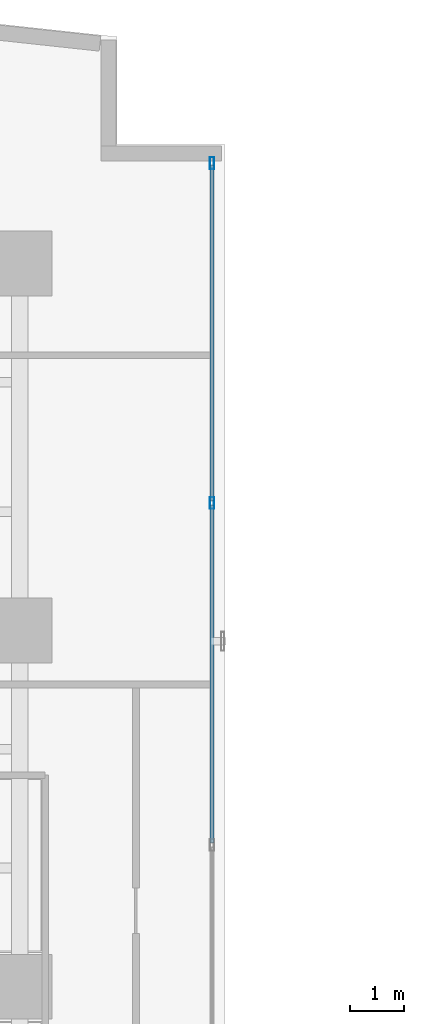
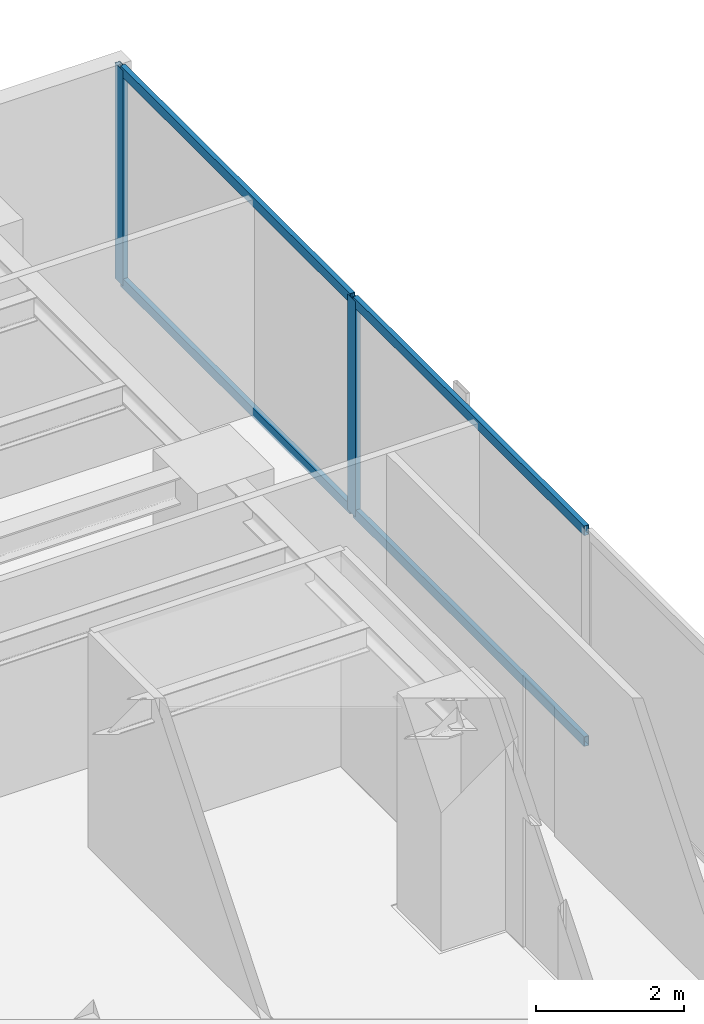
# One storey, part 17 of 23: 6 members, 1 element without a shape of its own.
"""IFC4 building model written with IfcOpenShell, lengths in metres."""

from ifc_helpers import new_model, si_unit, direction, frame, origin, origin_with_axes, origin_2d, place, context, subcontext, project, spatial, hollow_rectangle, extrude, source, transform, mapped, material, layer, layer_set, material_profile, profile_set, type_object, element, aggregate, save


model = new_model("IFC4")

# Units and contexts
model_context = context("Model", 3, precision=1e-05, world=origin(), true_north=direction((0.0, 1.0)))
body_context = subcontext(model_context, "Body", "Model", "MODEL_VIEW")
ifc_project = project(units=[si_unit("LENGTHUNIT", "METRE"), si_unit("AREAUNIT", "SQUARE_METRE"), si_unit("VOLUMEUNIT", "CUBIC_METRE"), si_unit("PLANEANGLEUNIT", "RADIAN"), si_unit("MASSUNIT", "GRAM", prefix="KILO")], contexts=[model_context])

# Site, building, storey
site_placement = place(None, origin())
site = spatial("IfcSite", under=ifc_project, at=site_placement, CompositionType="ELEMENT")
building_placement = place(site_placement, origin())
building = spatial("IfcBuilding", under=site, at=building_placement, Name="Kolvaren Waterfront Exchange", CompositionType="ELEMENT")
storey_placement = place(building_placement, frame((0.0, 0.0, 188.0)))
storey = spatial("IfcBuildingStorey", under=building, at=storey_placement, Name="L48", CompositionType="ELEMENT", Elevation=188.0)

# Curtain wall, members
ifc_material_1 = material(Name="Anodised bronze aluminium 6063-T6", Category="aluminium")
ifc_layer = layer(ifc_material_1, 0.219970703125, Name="Anodised bronze aluminium 6063-T6")
ifc_layer_set = layer_set([ifc_layer], Name="Anodised bronze aluminium 6063-T6")
curtain_wall_type = type_object("IfcCurtainWallType", Name="ARC-CW-SYS1", PredefinedType="USERDEFINED", material=ifc_layer_set)
curtain_wall_placement = place(storey_placement, origin())
curtain_wall = element("IfcCurtainWall", 1, at=curtain_wall_placement, inside=storey, type_object=curtain_wall_type, Name="L48 stick curtain wall CW1 (CW-L48-NE)", ObjectType="STICK CURTAIN WALL", PredefinedType="USERDEFINED")
ifc_material_2 = material(Name="Anodised aluminium 6063-T6", Category="aluminium")
ifc_material_profile_1 = material_profile(ifc_material_2, hollow_rectangle(XDim=0.080078125, YDim=0.219970703125, WallThickness=0.0048828125, at=origin_2d()), Name="ALU-MUL-220x80x5")
ifc_profile_set_1 = profile_set([ifc_material_profile_1], Name="Anodised aluminium 6063-T6")
member_type_1 = type_object("IfcMemberType", Name="ARC-CWM-220", PredefinedType="MULLION", material=ifc_profile_set_1)
shared_shape_1 = source(origin_with_axes(), body_context, "Body", "SweptSolid", [
    extrude(hollow_rectangle(XDim=0.080078125, YDim=0.219970703125, WallThickness=0.0048828125, at=origin_2d()), origin(), (0.0, 0.0, 1.0), 3.56005859375),
])
member_1_placement = place(storey_placement, frame((22.360107421875, 40.163330078125, 0.0), z_axis=(0.0, 0.0, 1.0), x_axis=(-1.0, 0.0, 0.0)))
member_1 = element("IfcMember", 2, at=member_1_placement, type_object=member_type_1, Name="CW1 mullion 3", PredefinedType="MULLION", context=body_context, shape_type="MappedRepresentation", body=[
    mapped(shared_shape_1, transform((0.0, 0.0, 0.0), x_axis=(1.0, 0.0, 0.0), y_axis=(0.0, 1.0, 0.0), z_axis=(0.0, 0.0, 1.0), scale=1.0)),
])
member_2_placement = place(storey_placement, frame((22.360107421875, 46.4599609375, 0.0), z_axis=(0.0, 0.0, 1.0), x_axis=(-1.0, 0.0, 0.0)))
member_2 = element("IfcMember", 3, at=member_2_placement, type_object=member_type_1, Name="CW1 mullion 4", PredefinedType="MULLION", context=body_context, shape_type="MappedRepresentation", body=[
    mapped(shared_shape_1, transform((0.0, 0.0, 0.0), x_axis=(1.0, 0.0, 0.0), y_axis=(0.0, 1.0, 0.0), z_axis=(0.0, 0.0, 1.0), scale=1.0)),
])
ifc_material_profile_2 = material_profile(ifc_material_2, hollow_rectangle(XDim=0.074951171875, YDim=0.159912109375, WallThickness=0.00439453125, at=origin_2d()), Name="ALU-TRN-160x75x4.5")
ifc_profile_set_2 = profile_set([ifc_material_profile_2], Name="Anodised aluminium 6063-T6")
member_type_2 = type_object("IfcMemberType", Name="ARC-CWT-160", PredefinedType="USERDEFINED", material=ifc_profile_set_2)
shared_shape_2 = source(origin_with_axes(), body_context, "Body", "SweptSolid", [
    extrude(hollow_rectangle(XDim=0.074951171875, YDim=0.159912109375, WallThickness=0.00439453125, at=origin_2d()), origin(), (0.0, 0.0, 1.0), 6.216552734375),
])
member_3_placement = place(storey_placement, frame((22.360107421875, 40.203369140625, 0.03759765625), z_axis=(0.0, 1.0, 0.0), x_axis=(-1.0, 0.0, 0.0)))
member_3 = element("IfcMember", 4, at=member_3_placement, type_object=member_type_2, Name="CW1 transom 3.1", ObjectType="TRANSOM", PredefinedType="USERDEFINED", context=body_context, shape_type="MappedRepresentation", body=[
    mapped(shared_shape_2, transform((0.0, 0.0, 0.0), x_axis=(1.0, 0.0, 0.0), y_axis=(0.0, 1.0, 0.0), z_axis=(0.0, 0.0, 1.0), scale=1.0)),
])
member_4_placement = place(storey_placement, frame((22.360107421875, 40.203369140625, 3.5224609375), z_axis=(0.0, 1.0, 0.0), x_axis=(-1.0, 0.0, 0.0)))
member_4 = element("IfcMember", 5, at=member_4_placement, type_object=member_type_2, Name="CW1 transom 3.2", ObjectType="TRANSOM", PredefinedType="USERDEFINED", context=body_context, shape_type="MappedRepresentation", body=[
    mapped(shared_shape_2, transform((0.0, 0.0, 0.0), x_axis=(1.0, 0.0, 0.0), y_axis=(0.0, 1.0, 0.0), z_axis=(0.0, 0.0, 1.0), scale=1.0)),
])
shared_shape_3 = source(origin_with_axes(), body_context, "Body", "SweptSolid", [
    extrude(hollow_rectangle(XDim=0.074951171875, YDim=0.159912109375, WallThickness=0.00439453125, at=origin_2d()), origin(), (0.0, 0.0, 1.0), 6.256591796875),
])
member_5_placement = place(storey_placement, frame((22.360107421875, 33.86669921875, 0.03759765625), z_axis=(0.0, 1.0, 0.0), x_axis=(-1.0, 0.0, 0.0)))
member_5 = element("IfcMember", 6, at=member_5_placement, type_object=member_type_2, Name="CW1 transom 2.1", ObjectType="TRANSOM", PredefinedType="USERDEFINED", context=body_context, shape_type="MappedRepresentation", body=[
    mapped(shared_shape_3, transform((0.0, 0.0, 0.0), x_axis=(1.0, 0.0, 0.0), y_axis=(0.0, 1.0, 0.0), z_axis=(0.0, 0.0, 1.0), scale=1.0)),
])
member_6_placement = place(storey_placement, frame((22.360107421875, 33.86669921875, 3.5224609375), z_axis=(0.0, 1.0, 0.0), x_axis=(-1.0, 0.0, 0.0)))
member_6 = element("IfcMember", 7, at=member_6_placement, type_object=member_type_2, Name="CW1 transom 2.2", ObjectType="TRANSOM", PredefinedType="USERDEFINED", context=body_context, shape_type="MappedRepresentation", body=[
    mapped(shared_shape_3, transform((0.0, 0.0, 0.0), x_axis=(1.0, 0.0, 0.0), y_axis=(0.0, 1.0, 0.0), z_axis=(0.0, 0.0, 1.0), scale=1.0)),
])
aggregate(curtain_wall, [member_1, member_2, member_5, member_6, member_3, member_4])

save(model, "model.ifc")
